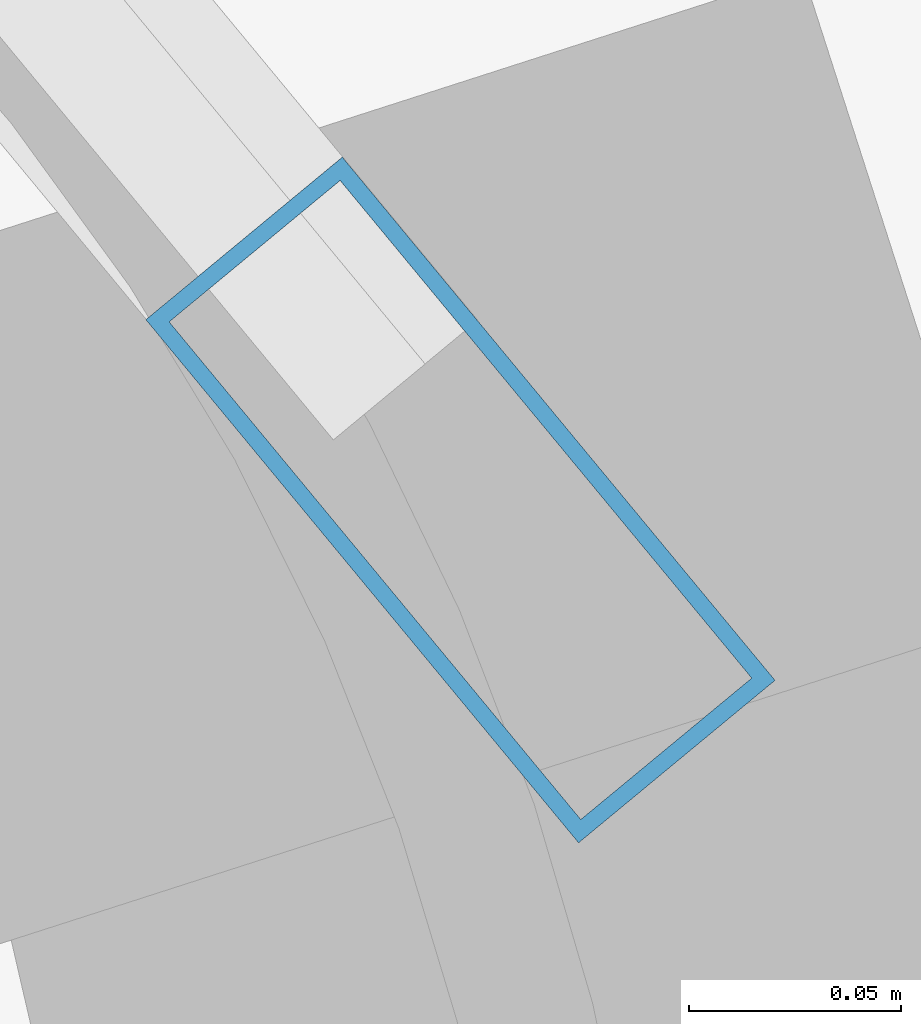
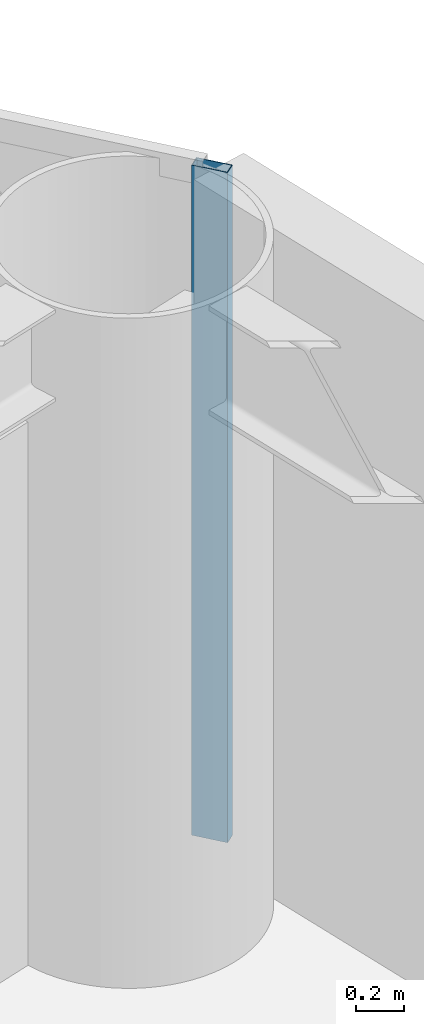
# One storey, part 9 of 28: 1 member, 1 element without a shape of its own.
"""IFC4 building model written with IfcOpenShell, lengths in metres."""

from ifc_helpers import new_model, si_unit, direction, frame, origin, origin_2d, place, context, subcontext, project, spatial, hollow_rectangle, extrude, material, layer, layer_set, material_profile, profile_set, type_object, element, aggregate, save


model = new_model("IFC4")

# Units and contexts
model_context = context("Model", 3, precision=1e-05, world=origin(), true_north=direction((0.0, 1.0)))
body_context = subcontext(model_context, "Body", "Model", "MODEL_VIEW")
ifc_project = project(units=[si_unit("LENGTHUNIT", "METRE"), si_unit("AREAUNIT", "SQUARE_METRE"), si_unit("VOLUMEUNIT", "CUBIC_METRE"), si_unit("PLANEANGLEUNIT", "RADIAN"), si_unit("MASSUNIT", "GRAM", prefix="KILO")], contexts=[model_context])

# Site, building, storey
site_placement = place(None, origin())
site = spatial("IfcSite", under=ifc_project, at=site_placement, CompositionType="ELEMENT")
building_placement = place(site_placement, origin())
building = spatial("IfcBuilding", under=site, at=building_placement, Name="Sarneth Arch Tower", CompositionType="ELEMENT")
storey_placement = place(building_placement, frame((0.0, 0.0, 179.39990234375)))
storey = spatial("IfcBuildingStorey", under=building, at=storey_placement, Name="L45", CompositionType="ELEMENT", Elevation=179.39990234375)

# Curtain wall, member
ifc_material_1 = material(Name="Anodised aluminium Type AA25 and solar-control low-e laminated IGU", Category="aluminium")
ifc_layer = layer(ifc_material_1, 0.169921875)
ifc_layer_set = layer_set([ifc_layer], Name="Anodised aluminium Type AA25 and solar-control low-e laminated IGU")
curtain_wall_type = type_object("IfcCurtainWallType", Name="CW-RES-MID", PredefinedType="NOTDEFINED", material=ifc_layer_set)
curtain_wall_placement = place(storey_placement, origin())
curtain_wall = element("IfcCurtainWall", 1, at=curtain_wall_placement, inside=storey, type_object=curtain_wall_type, Name="L45 Unitised curtain wall facet 02", PredefinedType="NOTDEFINED")
ifc_material_2 = material(Name="Anodised Aluminium 6063-T6", Category="aluminium")
ifc_material_profile = material_profile(ifc_material_2, hollow_rectangle(XDim=0.06005859375, YDim=0.159912109375, WallThickness=0.00390625, at=origin_2d()), Name="AL-MULL-160x60x4")
ifc_profile_set = profile_set([ifc_material_profile], Name="Anodised Aluminium 6063-T6")
member_type = type_object("IfcMemberType", Name="CW-MULLION", PredefinedType="MULLION", material=ifc_profile_set)
member_placement = place(storey_placement, frame((73.213134765625, 50.090087890625, 0.0), z_axis=(0.0, 0.0, 1.0), x_axis=(-0.770590741276, -0.637330298558, 0.0)))
member = element("IfcMember", 2, at=member_placement, type_object=member_type, Name="CW-SYS-5 mullion 1", PredefinedType="MULLION", context=body_context, shape_type="SweptSolid", body=[
    extrude(hollow_rectangle(XDim=0.06005859375, YDim=0.159912109375, WallThickness=0.00390625, at=origin_2d()), origin(), (0.0, 0.0, 1.0), 3.380126953125),
])
aggregate(curtain_wall, [member])

save(model, "model.ifc")
